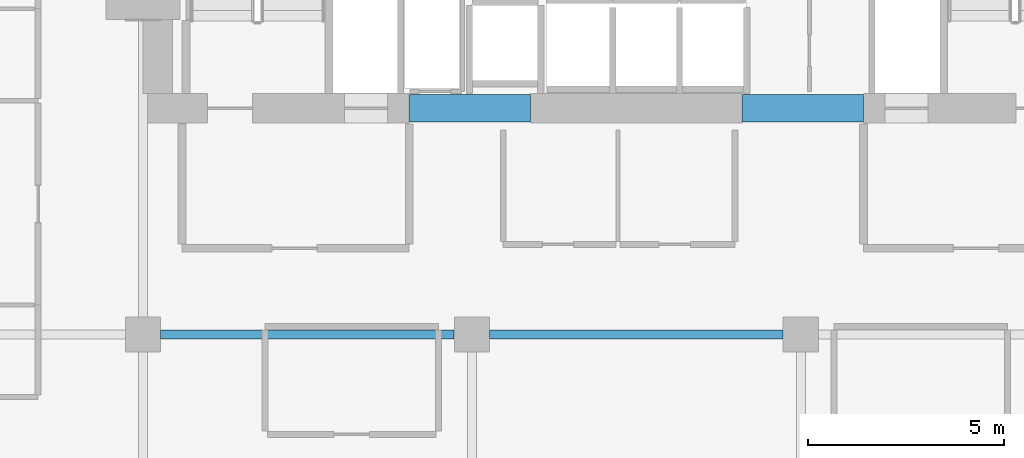
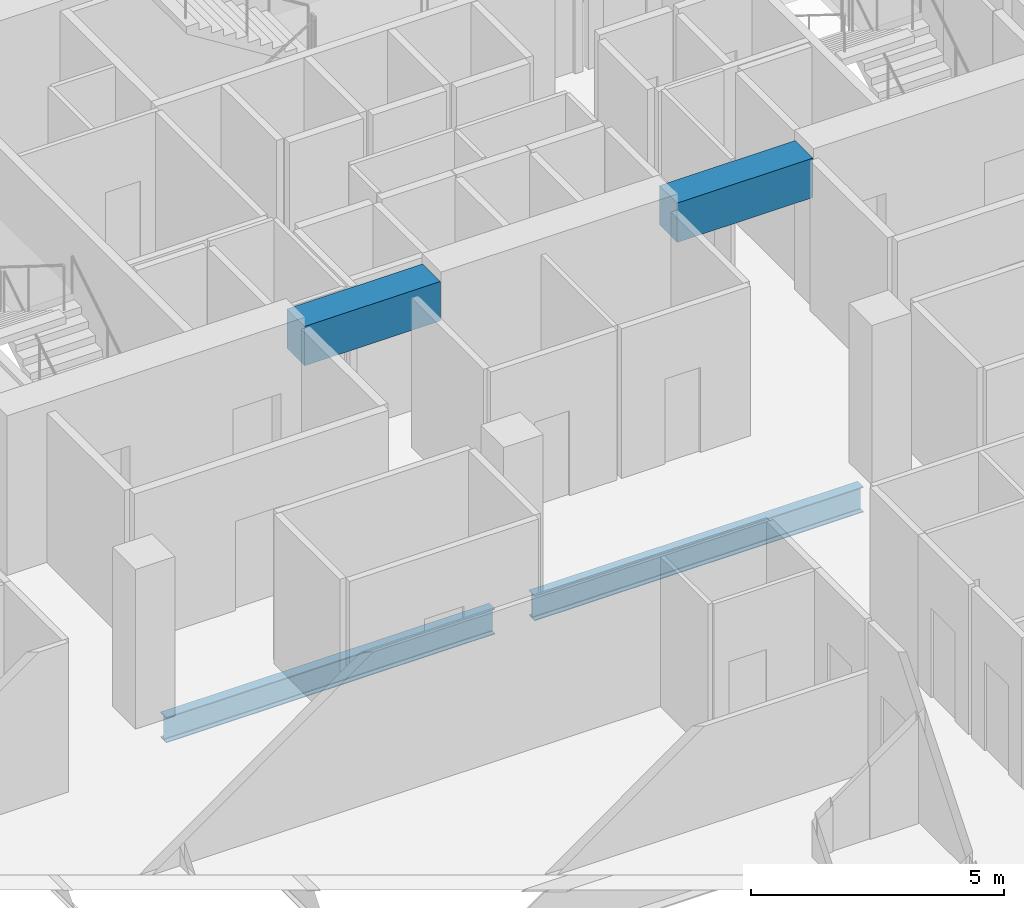
# One storey, part 21 of 34: 4 beams.
"""IFC4 building model written with IfcOpenShell, lengths in metres."""

from ifc_helpers import new_model, si_unit, direction, frame, origin, origin_2d, place, context, subcontext, project, spatial, rectangle, i_section, extrude, material, material_profile, profile_set, type_object, element, save


model = new_model("IFC4")

# Units and contexts
model_context = context("Model", 3, precision=1e-05, world=origin(), true_north=direction((0.0, 1.0)))
body_context = subcontext(model_context, "Body", "Model", "MODEL_VIEW")
ifc_project = project(units=[si_unit("LENGTHUNIT", "METRE"), si_unit("AREAUNIT", "SQUARE_METRE"), si_unit("VOLUMEUNIT", "CUBIC_METRE"), si_unit("PLANEANGLEUNIT", "RADIAN"), si_unit("MASSUNIT", "GRAM", prefix="KILO")], contexts=[model_context])

# Site, building, storey
site_placement = place(None, origin())
site = spatial("IfcSite", under=ifc_project, at=site_placement, CompositionType="ELEMENT")
building_placement = place(site_placement, origin())
building = spatial("IfcBuilding", under=site, at=building_placement, Name="Maruvema Waterfront Hotel and Observation Tower", CompositionType="ELEMENT")
storey_placement = place(building_placement, frame((0.0, 0.0, 135.10009765625)))
storey = spatial("IfcBuildingStorey", under=building, at=storey_placement, Name="L32", CompositionType="ELEMENT", Elevation=135.10009765625)

# Beams
ifc_material_1 = material(Name="Concrete C60/75", Category="concrete")
ifc_material_profile_1 = material_profile(ifc_material_1, rectangle(XDim=0.699951171875, YDim=0.949951171875, at=origin_2d()), Name="CB700x950")
ifc_profile_set_1 = profile_set([ifc_material_profile_1], Name="Concrete C60/75")
beam_type_1 = type_object("IfcBeamType", Name="Core Coupling Lintel Beam CB700x950", PredefinedType="LINTEL", material=ifc_profile_set_1)
for number, where, z_axis, x_axis, name in (
    (1, (32.0, 41.77490234375, 3.135009765625), (1.0, 0.0, 0.0), (0.0, 1.0, 0.0), "L32 Core Coupling Lintel Beam West"),
    (2, (40.5, 41.77490234375, 3.135009765625), (1.0, 0.0, 0.0), (0.0, 1.0, 0.0), "L32 Core Coupling Lintel Beam East"),
):
    element("IfcBeam", number, at=place(storey_placement, frame(where, z_axis=z_axis, x_axis=x_axis)), inside=storey, type_object=beam_type_1, Name=name, PredefinedType="LINTEL", context=body_context, shape_type="SweptSolid", body=[
        extrude(rectangle(XDim=0.699951171875, YDim=0.949951171875, at=origin_2d()), origin(), (0.0, 0.0, 1.0), 3.10009765625),
    ])
ifc_material_2 = material(Name="Steel ASTM A572 Grade 50", Category="steel")
ifc_material_profile_2 = material_profile(ifc_material_2, i_section(OverallWidth=0.22900390625, OverallDepth=0.612060546875, WebThickness=0.011962890625, FlangeThickness=0.01953125, FilletRadius=0.01806640625, at=origin_2d()), Name="W610x125.0")
ifc_profile_set_2 = profile_set([ifc_material_profile_2], Name="Steel ASTM A572 Grade 50")
beam_type_2 = type_object("IfcBeamType", Name="Primary Floor Girder W610x125.0", PredefinedType="BEAM", material=ifc_profile_set_2)
for number, where, z_axis, x_axis, name in (
    (3, (25.64990234375, 36.0, -0.546142578125), (1.0, 0.0, 0.0), (0.0, 1.0, 0.0), "L32 Floor Girder EW-25"),
    (4, (34.050048828125, 36.0, -0.546142578125), (1.0, 0.0, 0.0), (0.0, 1.0, 0.0), "L32 Floor Girder EW-26"),
):
    element("IfcBeam", number, at=place(storey_placement, frame(where, z_axis=z_axis, x_axis=x_axis)), inside=storey, type_object=beam_type_2, Name=name, PredefinedType="BEAM", context=body_context, shape_type="SweptSolid", body=[
        extrude(i_section(OverallWidth=0.22900390625, OverallDepth=0.612060546875, WebThickness=0.011962890625, FlangeThickness=0.01953125, FilletRadius=0.01806640625, at=origin_2d()), origin(), (0.0, 0.0, 1.0), 7.5),
    ])

save(model, "model.ifc")
